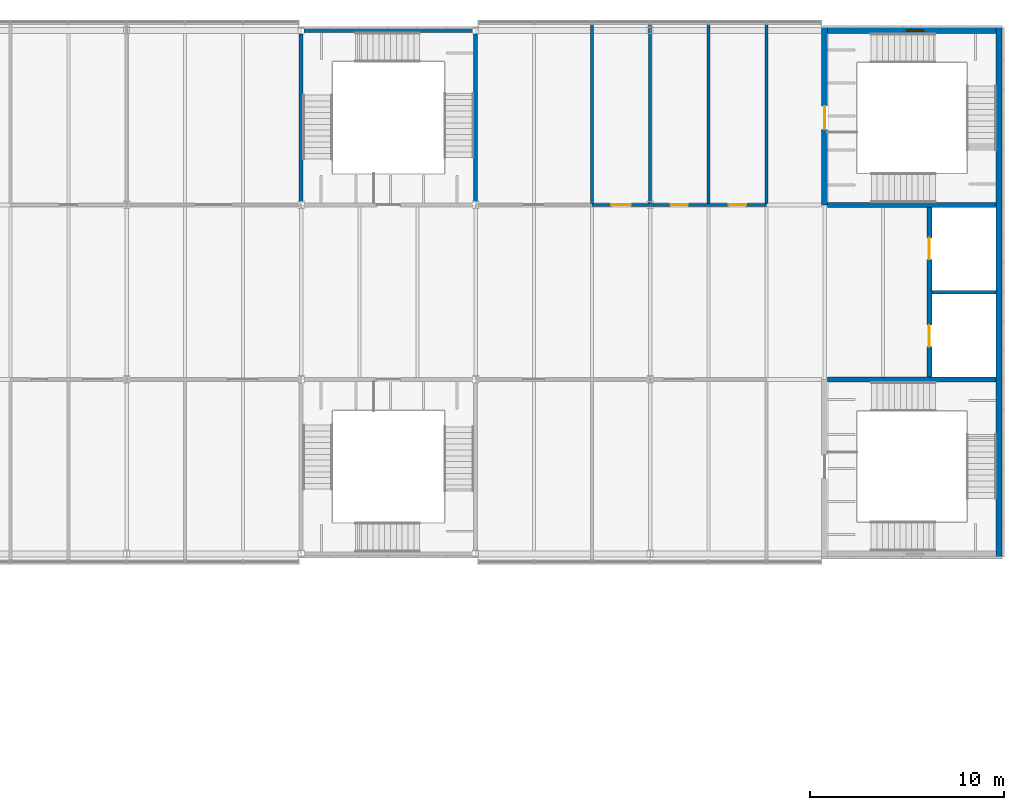
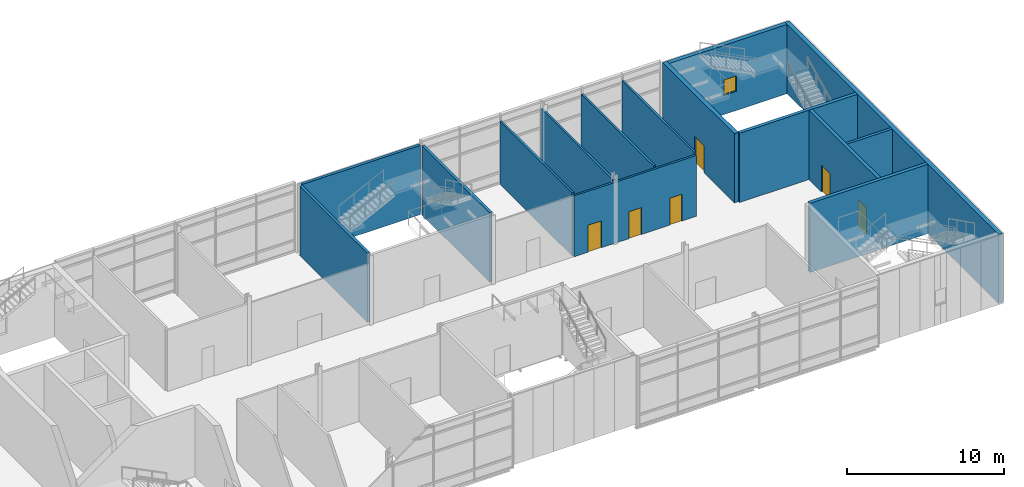
# One storey, part 39 of 52: 15 walls, 6 doors, 1 window, 7 openings.
"""IFC4 building model written with IfcOpenShell, lengths in metres."""

import ifcopenshell
import ifcopenshell.guid

model = None  # the IFC model being written
_history = None  # IfcOwnerHistory: only IFC2X3 demands one
_inside = {}  # id of a spatial element -> (the spatial element, [elements in it])
_under = {}  # id of a project, library or spatial element -> (it, [spatial elements below it])
_declared = {}  # id of a project -> (the project, [libraries it declares])
_typed = {}  # id of a type object -> (the type object, [elements of that type])
_made_of = {}  # id of a material, layer set ... -> (it, [elements and type objects made of it])


def new_model(schema):
    """Start an empty IFC model of exactly this schema.

    Asked for "IFC4X3", IfcOpenShell would pick the latest addendum, in which some entities
    have other attributes; the version numbers below select the first issue.
    IFC2X3 requires an IfcOwnerHistory on every rooted entity: one is made here for all.
    """
    global model, _history
    if schema == "IFC4X3":
        model = ifcopenshell.file(schema_version=(4, 3, 0, 0))
    else:
        model = ifcopenshell.file(schema=schema)
    _inside.clear()
    _under.clear()
    _declared.clear()
    _typed.clear()
    _made_of.clear()
    _history = None
    if model.schema == "IFC2X3":
        org = make("IfcOrganization", Name="unknown")
        user = make(
            "IfcPersonAndOrganization",
            ThePerson=make("IfcPerson", FamilyName="unknown"),
            TheOrganization=org,
        )
        app = make(
            "IfcApplication",
            ApplicationDeveloper=org,
            Version="unknown",
            ApplicationFullName="unknown",
            ApplicationIdentifier="unknown",
        )
        _history = make(
            "IfcOwnerHistory",
            OwningUser=user,
            OwningApplication=app,
            ChangeAction="ADDED",
            CreationDate=0,
        )
    return model


def make(cls, **values):
    """One entity of the class cls with the attributes given. An attribute that is None is left unset."""
    return model.create_entity(
        cls, **{name: value for name, value in values.items() if value is not None}
    )


def rooted(cls, **values):
    """An entity with a GlobalId (a new one), such as an element, a storey or a relation."""
    return make(cls, GlobalId=ifcopenshell.guid.new(), OwnerHistory=_history, **values)


def si_unit(unit_type, name, prefix=None):
    """IfcSIUnit, for example si_unit("LENGTHUNIT", "METRE", prefix="MILLI")."""
    return make("IfcSIUnit", UnitType=unit_type, Prefix=prefix, Name=name)


def assignment(units):
    """IfcUnitAssignment: the units of a project."""
    return None if units is None else make("IfcUnitAssignment", Units=units)


def point(xyz):
    """IfcCartesianPoint."""
    return None if xyz is None else make("IfcCartesianPoint", Coordinates=xyz)


def direction(xyz):
    """IfcDirection."""
    return None if xyz is None else make("IfcDirection", DirectionRatios=xyz)


def frame(location, z_axis=None, x_axis=None):
    """IfcAxis2Placement3D, a coordinate frame: its origin and axes. An axis left out is left unset."""
    return make(
        "IfcAxis2Placement3D",
        Location=point(location),
        Axis=direction(z_axis),
        RefDirection=direction(x_axis),
    )


def frame_2d(location, x_axis=None):
    """IfcAxis2Placement2D, a coordinate frame in the plane: its origin and x axis."""
    return make(
        "IfcAxis2Placement2D", Location=point(location), RefDirection=direction(x_axis)
    )


def origin():
    """The frame at (0, 0, 0) with its axes left unset."""
    return frame((0.0, 0.0, 0.0))


def place(relative_to, where):
    """IfcLocalPlacement: puts the frame where relative to a parent placement (None: the world)."""
    return make(
        "IfcLocalPlacement", PlacementRelTo=relative_to, RelativePlacement=where
    )


def context(
    kind, dimensions, precision=None, world=None, true_north=None, identifier=None
):
    """IfcGeometricRepresentationContext, for example the 3D "Model" context."""
    return make(
        "IfcGeometricRepresentationContext",
        ContextIdentifier=identifier,
        ContextType=kind,
        CoordinateSpaceDimension=dimensions,
        Precision=precision,
        WorldCoordinateSystem=world,
        TrueNorth=true_north,
    )


def subcontext(parent, identifier, kind, view, scale=None):
    """IfcGeometricRepresentationSubContext, for example "Body" below "Model"."""
    return make(
        "IfcGeometricRepresentationSubContext",
        ContextIdentifier=identifier,
        ContextType=kind,
        ParentContext=parent,
        TargetScale=scale,
        TargetView=view,
    )


def project(units=None, contexts=None):
    """IfcProject with its units and contexts."""
    return rooted(
        "IfcProject",
        Name="project",
        RepresentationContexts=contexts,
        UnitsInContext=assignment(units),
    )


def spatial(cls, under=None, at=None, **own):
    """A site, building, storey or space (cls), placed at a placement, below another one or the project."""
    s = rooted(cls, ObjectPlacement=at, **own)
    if under is not None:
        _under.setdefault(under.id(), (under, []))[1].append(s)
    return s


def profile(cls, at=None, kind="AREA", **sizes):
    """A parametric profile (cls). Its sizes go by their IFC names, for example OverallWidth=200.0."""
    return make(cls, ProfileType=kind, Position=at, **sizes)


def rectangle(**sizes):
    """IfcRectangleProfileDef."""
    return profile("IfcRectangleProfileDef", **sizes)


def extrude(swept, where, along, depth):
    """IfcExtrudedAreaSolid: the profile swept, set in the frame where, extruded along a direction by depth."""
    return make(
        "IfcExtrudedAreaSolid",
        SweptArea=swept,
        Position=where,
        ExtrudedDirection=direction(along),
        Depth=depth,
    )


def shape(context_of_items, identifier, shape_type, items):
    """IfcShapeRepresentation: the items that make up one representation, for example the "Body"."""
    return make(
        "IfcShapeRepresentation",
        ContextOfItems=context_of_items,
        RepresentationIdentifier=identifier,
        RepresentationType=shape_type,
        Items=items,
    )


def material(Name=None, Category=None):
    """IfcMaterial."""
    return make("IfcMaterial", Name=Name, Category=Category)


def layer(
    of_material, thickness, ventilated=None, Name=None, Category=None, Priority=None
):
    """IfcMaterialLayer: one layer of a wall or slab, of a material (None: an air gap)."""
    return make(
        "IfcMaterialLayer",
        Material=of_material,
        LayerThickness=thickness,
        IsVentilated=ventilated,
        Name=Name,
        Category=Category,
        Priority=Priority,
    )


def layer_set(layers, Name=None):
    """IfcMaterialLayerSet."""
    return make("IfcMaterialLayerSet", MaterialLayers=layers, LayerSetName=Name)


def made_of(thing, what):
    """Note that an element or type object is made of a material, layer set ...; save() writes the relation."""
    if what is not None:
        _made_of.setdefault(what.id(), (what, []))[1].append(thing)
    return thing


def type_object(cls, material=None, **own):
    """A type object (cls), such as IfcWallType, which elements share."""
    return made_of(rooted(cls, **own), material)


def element(
    cls,
    number,
    at=None,
    inside=None,
    cuts=None,
    type_object=None,
    material=None,
    context=None,
    identifier="Body",
    shape_type=None,
    held_by="IfcProductDefinitionShape",
    body=None,
    shapes=None,
    **own,
):
    """One element of the class cls, such as IfcWall. Its Tag is "e" and its number.

    at: its placement. inside: the storey or other place that contains it. cuts: it is an
    opening in that element (IfcRelVoidsElement). A single representation is given by context,
    identifier, shape_type and body (its items); several are given by shapes. held_by: the class
    of the entity that holds the representations. save() writes the other relations.
    """
    e = rooted(cls, Tag="e%d" % number, ObjectPlacement=at, **own)
    if body is not None:
        shapes = [shape(context, identifier, shape_type, body)]
    if shapes is not None:
        e.Representation = make(held_by, Representations=shapes)
    if inside is not None:
        _inside.setdefault(inside.id(), (inside, []))[1].append(e)
    if cuts is not None:
        rooted(
            "IfcRelVoidsElement", RelatingBuildingElement=cuts, RelatedOpeningElement=e
        )
    if type_object is not None:
        _typed.setdefault(type_object.id(), (type_object, []))[1].append(e)
    return made_of(e, material)


def fill(opening, filler):
    """IfcRelFillsElement: the door or window that sits in an opening."""
    return rooted(
        "IfcRelFillsElement",
        RelatingOpeningElement=opening,
        RelatedBuildingElement=filler,
    )


def aggregate(whole, parts):
    """IfcRelAggregates: a whole, such as a stair, and the parts it consists of."""
    return rooted("IfcRelAggregates", RelatingObject=whole, RelatedObjects=parts)


def save(model, path):
    """Write the relations noted so far, then the file.

    IfcRelAggregates (storeys below a building ...), IfcRelContainedInSpatialStructure (elements
    in a storey), IfcRelDefinesByType, IfcRelAssociatesMaterial and IfcRelDeclares: one each for
    every whole, place, type object, material and project.
    """
    for whole, parts in _under.values():
        aggregate(whole, parts)
    for where, things in _inside.values():
        rooted(
            "IfcRelContainedInSpatialStructure",
            RelatedElements=things,
            RelatingStructure=where,
        )
    for kind, things in _typed.values():
        rooted("IfcRelDefinesByType", RelatedObjects=things, RelatingType=kind)
    for what, things in _made_of.values():
        rooted("IfcRelAssociatesMaterial", RelatedObjects=things, RelatingMaterial=what)
    for by, libraries in _declared.values():
        rooted("IfcRelDeclares", RelatingContext=by, RelatedDefinitions=libraries)
    model.write(path)


model = new_model("IFC4")

# Units and contexts
model_context = context("Model", 3, precision=1e-05, world=origin(), true_north=direction((0.0, 1.0)))
body_context = subcontext(model_context, "Body", "Model", "MODEL_VIEW")
ifc_project = project(units=[si_unit("LENGTHUNIT", "METRE"), si_unit("AREAUNIT", "SQUARE_METRE"), si_unit("VOLUMEUNIT", "CUBIC_METRE"), si_unit("PLANEANGLEUNIT", "RADIAN"), si_unit("MASSUNIT", "GRAM", prefix="KILO")], contexts=[model_context])

# Site, building, storey
site_placement = place(None, origin())
site = spatial("IfcSite", under=ifc_project, at=site_placement, CompositionType="ELEMENT")
building_placement = place(site_placement, origin())
building = spatial("IfcBuilding", under=site, at=building_placement, Name="Azimuth Sports and Learning Centre", CompositionType="ELEMENT")
storey_placement = place(building_placement, frame((0.0, 0.0, 16.199951171875)))
storey = spatial("IfcBuildingStorey", under=building, at=storey_placement, Name="L03", CompositionType="ELEMENT", Elevation=16.199951171875)

# Wall
ifc_material_1 = material(Name="Dense masonry blockwork", Category="masonry")
ifc_layer_1 = layer(ifc_material_1, 0.199951171875)
ifc_layer_set_1 = layer_set([ifc_layer_1], Name="Dense masonry blockwork")
wall_type_1 = type_object("IfcWallType", Name="Blockwork wall 200 EI 120", PredefinedType="SOLIDWALL", material=ifc_layer_set_1)
wall_1_placement = place(storey_placement, frame((167.52490234375, 103.5, 0.0), z_axis=(0.0, 0.0, 1.0), x_axis=(1.0, 0.0, 0.0)))
element("IfcWall", 1, at=wall_1_placement, inside=storey, type_object=wall_type_1, Name="SD-EW-1-L03", PredefinedType="SOLIDWALL", context=body_context, shape_type="SweptSolid", body=[
    extrude(rectangle(XDim=3.3251953125, YDim=0.199951171875, at=frame_2d((1.66259765625, 0.0))), origin(), (0.0, 0.0, 1.0), 5.400146484375),
])

# Wall, openings, doors
ifc_material_2 = material(Name="Lightweight blockwork, rendered", Category="masonry")
ifc_layer_2 = layer(ifc_material_2, 0.14990234375)
ifc_layer_set_2 = layer_set([ifc_layer_2], Name="Lightweight blockwork, rendered")
wall_type_2 = type_object("IfcWallType", Name="Partition 150 EI 60", PredefinedType="PARTITIONING", material=ifc_layer_set_2)
wall_2_placement = place(storey_placement, frame((150.0, 108.0, 0.0), z_axis=(0.0, 0.0, 1.0), x_axis=(1.0, 0.0, 0.0)))
wall_2 = element("IfcWall", 2, at=wall_2_placement, inside=storey, type_object=wall_type_2, Name="Partition 150 EI 60", PredefinedType="PARTITIONING", context=body_context, shape_type="SweptSolid", body=[
    extrude(rectangle(XDim=9.0, YDim=0.14990234375, at=frame_2d((4.5, 0.0))), origin(), (0.0, 0.0, 1.0), 4.75),
])
opening_1_placement = place(wall_2_placement, frame((7.050048828125, 0.0, 0.0)))
opening_1 = element("IfcOpeningElement", 3, at=opening_1_placement, cuts=wall_2, Name="Opening D03-047", PredefinedType="OPENING", context=body_context, shape_type="SweptSolid", body=[
    extrude(rectangle(XDim=0.89990234375, YDim=2.10009765625, at=frame_2d((0.449951171875, 1.050048828125))), frame((0.0, 0.0859375, 0.0), z_axis=(0.0, -1.0, 0.0), x_axis=(1.0, 0.0, 0.0)), (0.0, 0.0, 1.0), 0.171875),
])
opening_2_placement = place(wall_2_placement, frame((4.050048828125, 0.0, 0.0)))
opening_2 = element("IfcOpeningElement", 4, at=opening_2_placement, cuts=wall_2, Name="Opening D03-048", PredefinedType="OPENING", context=body_context, shape_type="SweptSolid", body=[
    extrude(rectangle(XDim=0.89990234375, YDim=2.10009765625, at=frame_2d((0.449951171875, 1.050048828125))), frame((0.0, 0.0859375, 0.0), z_axis=(0.0, -1.0, 0.0), x_axis=(1.0, 0.0, 0.0)), (0.0, 0.0, 1.0), 0.171875),
])
opening_3_placement = place(wall_2_placement, frame((1.0, 0.0, 0.0)))
opening_3 = element("IfcOpeningElement", 5, at=opening_3_placement, cuts=wall_2, Name="Opening D03-049", PredefinedType="OPENING", context=body_context, shape_type="SweptSolid", body=[
    extrude(rectangle(XDim=1.0, YDim=2.10009765625, at=frame_2d((0.5, 1.050048828125))), frame((0.0, 0.0859375, 0.0), z_axis=(0.0, -1.0, 0.0), x_axis=(1.0, 0.0, 0.0)), (0.0, 0.0, 1.0), 0.171875),
])
ifc_material_3 = material(Name="Timber fire door set", Category="wood")
door_type_1 = type_object("IfcDoorType", Name="Timber door single 1000x2100 FD60", OperationType="NOTDEFINED", PredefinedType="DOOR", material=ifc_material_3)
door_1_placement = place(opening_3_placement, origin())
door_1 = element("IfcDoor", 6, at=door_1_placement, inside=storey, type_object=door_type_1, Name="Door D03-049", OperationType="SINGLE_SWING_LEFT", OverallHeight=2.10009765625, OverallWidth=1.0, PredefinedType="DOOR", context=body_context, shape_type="SweptSolid", body=[
    extrude(rectangle(XDim=1.0, YDim=2.10009765625, at=frame_2d((0.5, 1.050048828125))), frame((0.0, 0.02490234375, 0.0), z_axis=(0.0, -1.0, 0.0), x_axis=(1.0, 0.0, 0.0)), (0.0, 0.0, 1.0), 0.050048828125),
])
fill(opening_3, door_1)
ifc_material_4 = material(Name="Timber fire door set", Category="wood")
door_type_2 = type_object("IfcDoorType", Name="Timber door single 900x2100 FD60", OperationType="NOTDEFINED", PredefinedType="DOOR", material=ifc_material_4)
door_2_placement = place(opening_1_placement, origin())
door_2 = element("IfcDoor", 7, at=door_2_placement, inside=storey, type_object=door_type_2, Name="Door D03-047", OperationType="SINGLE_SWING_LEFT", OverallHeight=2.10009765625, OverallWidth=0.89990234375, PredefinedType="DOOR", context=body_context, shape_type="SweptSolid", body=[
    extrude(rectangle(XDim=0.89990234375, YDim=2.10009765625, at=frame_2d((0.449951171875, 1.050048828125))), frame((0.0, 0.02490234375, 0.0), z_axis=(0.0, -1.0, 0.0), x_axis=(1.0, 0.0, 0.0)), (0.0, 0.0, 1.0), 0.050048828125),
])
fill(opening_1, door_2)
door_3_placement = place(opening_2_placement, origin())
door_3 = element("IfcDoor", 8, at=door_3_placement, inside=storey, type_object=door_type_2, Name="Door D03-048", OperationType="SINGLE_SWING_LEFT", OverallHeight=2.10009765625, OverallWidth=0.89990234375, PredefinedType="DOOR", context=body_context, shape_type="SweptSolid", body=[
    extrude(rectangle(XDim=0.89990234375, YDim=2.10009765625, at=frame_2d((0.449951171875, 1.050048828125))), frame((0.0, 0.02490234375, 0.0), z_axis=(0.0, -1.0, 0.0), x_axis=(1.0, 0.0, 0.0)), (0.0, 0.0, 1.0), 0.050048828125),
])
fill(opening_2, door_3)

# Walls
wall_3_placement = place(storey_placement, frame((150.0, 108.074951171875, 0.0), z_axis=(0.0, 0.0, 1.0), x_axis=(0.0, 1.0, 0.0)))
element("IfcWall", 9, at=wall_3_placement, inside=storey, type_object=wall_type_2, Name="Partition 150 EI 60", PredefinedType="PARTITIONING", context=body_context, shape_type="SweptSolid", body=[
    extrude(rectangle(XDim=9.22509765625, YDim=0.14990234375, at=frame_2d((4.612548828125, 0.0))), origin(), (0.0, 0.0, 1.0), 4.920166015625),
])
wall_4_placement = place(storey_placement, frame((153.0, 108.074951171875, 0.0), z_axis=(0.0, 0.0, 1.0), x_axis=(0.0, 1.0, 0.0)))
element("IfcWall", 10, at=wall_4_placement, inside=storey, type_object=wall_type_2, Name="Partition 150 EI 60", PredefinedType="PARTITIONING", context=body_context, shape_type="SweptSolid", body=[
    extrude(rectangle(XDim=9.22509765625, YDim=0.14990234375, at=frame_2d((4.612548828125, 0.0))), origin(), (0.0, 0.0, 1.0), 4.89013671875),
])
for number, where, z_axis, x_axis, name in (
    (11, (156.0, 108.074951171875, 0.0), (0.0, 0.0, 1.0), (0.0, 1.0, 0.0), "Partition 150 EI 60"),
    (12, (159.0, 108.074951171875, 0.0), (0.0, 0.0, 1.0), (0.0, 1.0, 0.0), "Partition 150 EI 60"),
):
    element("IfcWall", number, at=place(storey_placement, frame(where, z_axis=z_axis, x_axis=x_axis)), inside=storey, type_object=wall_type_2, Name=name, PredefinedType="PARTITIONING", context=body_context, shape_type="SweptSolid", body=[
        extrude(rectangle(XDim=9.22509765625, YDim=0.14990234375, at=frame_2d((4.612548828125, 0.0))), origin(), (0.0, 0.0, 1.0), 4.920166015625),
    ])
ifc_material_5 = material(Name="Concrete C40/50", Category="concrete")
ifc_layer_3 = layer(ifc_material_5, 0.199951171875)
ifc_layer_set_3 = layer_set([ifc_layer_3], Name="Concrete C40/50")
wall_type_3 = type_object("IfcWallType", Name="RC cell wall 200 EI 120", PredefinedType="SHEAR", material=ifc_layer_set_3)
for number, where, z_axis, x_axis, name in (
    (13, (135.0, 108.179931640625, 0.0), (0.0, 0.0, 1.0), (0.0, 1.0, 0.0), "CE-EM2-W-L03"),
    (14, (144.0, 108.179931640625, 0.0), (0.0, 0.0, 1.0), (0.0, 1.0, 0.0), "CE-EM2-E-L03"),
):
    element("IfcWall", number, at=place(storey_placement, frame(where, z_axis=z_axis, x_axis=x_axis)), inside=storey, type_object=wall_type_3, Name=name, PredefinedType="SHEAR", context=body_context, shape_type="SweptSolid", body=[
        extrude(rectangle(XDim=8.64013671875, YDim=0.199951171875, at=frame_2d((4.320068359375, 0.0))), origin(), (0.0, 0.0, 1.0), 5.400146484375),
    ])
ifc_material_6 = material(Name="Concrete C40/50", Category="concrete")
ifc_layer_4 = layer(ifc_material_6, 0.25)
ifc_layer_set_4 = layer_set([ifc_layer_4], Name="Concrete C40/50")
wall_type_4 = type_object("IfcWallType", Name="RC core wall 250", PredefinedType="SHEAR", material=ifc_layer_set_4)
for number, where, z_axis, x_axis, name in (
    (15, (162.14990234375, 99.0, 0.0), (0.0, 0.0, 1.0), (1.0, 0.0, 0.0), "Core wall EW D1 L03"),
    (16, (162.14990234375, 108.0, 0.0), (0.0, 0.0, 1.0), (1.0, 0.0, 0.0), "Core wall EW D2 L03"),
):
    element("IfcWall", number, at=place(storey_placement, frame(where, z_axis=z_axis, x_axis=x_axis)), inside=storey, type_object=wall_type_4, Name=name, PredefinedType="SHEAR", context=body_context, shape_type="SweptSolid", body=[
        extrude(rectangle(XDim=8.7001953125, YDim=0.25, at=frame_2d((4.35009765625, 0.0))), origin(), (0.0, 0.0, 1.0), 5.400146484375),
    ])

# Wall, openings, doors
wall_5_placement = place(storey_placement, frame((167.39990234375, 99.125, 0.0), z_axis=(0.0, 0.0, 1.0), x_axis=(0.0, 1.0, 0.0)))
wall_5 = element("IfcWall", 17, at=wall_5_placement, inside=storey, type_object=wall_type_4, Name="Core wall EW LB1 L03", PredefinedType="SHEAR", context=body_context, shape_type="SweptSolid", body=[
    extrude(rectangle(XDim=8.75, YDim=0.25, at=frame_2d((4.375, 0.0))), origin(), (0.0, 0.0, 1.0), 5.400146484375),
])
opening_4_placement = place(wall_5_placement, frame((1.574951171875, 0.0, 0.0)))
opening_4 = element("IfcOpeningElement", 18, at=opening_4_placement, cuts=wall_5, Name="Opening D03-027", PredefinedType="OPENING", context=body_context, shape_type="SweptSolid", body=[
    extrude(rectangle(XDim=1.10009765625, YDim=2.10009765625, at=frame_2d((0.550048828125, 1.050048828125))), frame((0.0, 0.135986328125, 0.0), z_axis=(0.0, -1.0, 0.0), x_axis=(1.0, 0.0, 0.0)), (0.0, 0.0, 1.0), 0.27197265625),
])
opening_5_placement = place(wall_5_placement, frame((6.074951171875, 0.0, 0.0)))
opening_5 = element("IfcOpeningElement", 19, at=opening_5_placement, cuts=wall_5, Name="Opening D03-028", PredefinedType="OPENING", context=body_context, shape_type="SweptSolid", body=[
    extrude(rectangle(XDim=1.10009765625, YDim=2.10009765625, at=frame_2d((0.550048828125, 1.050048828125))), frame((0.0, 0.135986328125, 0.0), z_axis=(0.0, -1.0, 0.0), x_axis=(1.0, 0.0, 0.0)), (0.0, 0.0, 1.0), 0.27197265625),
])
ifc_material_7 = material(Name="Stainless steel", Category="steel")
door_type_3 = type_object("IfcDoorType", Name="Lift landing door 1100 x 2100", OperationType="DOUBLE_DOOR_SLIDING", PredefinedType="DOOR", material=ifc_material_7)
door_4_placement = place(opening_4_placement, origin())
door_4 = element("IfcDoor", 20, at=door_4_placement, inside=storey, type_object=door_type_3, Name="Landing door LEW1 L03", OperationType="DOUBLE_DOOR_SLIDING", OverallHeight=2.10009765625, OverallWidth=1.10009765625, PredefinedType="DOOR", context=body_context, shape_type="SweptSolid", body=[
    extrude(rectangle(XDim=1.10009765625, YDim=2.10009765625, at=frame_2d((0.550048828125, 1.050048828125))), frame((0.0, 0.02490234375, 0.0), z_axis=(0.0, -1.0, 0.0), x_axis=(1.0, 0.0, 0.0)), (0.0, 0.0, 1.0), 0.050048828125),
])
fill(opening_4, door_4)
door_5_placement = place(opening_5_placement, origin())
door_5 = element("IfcDoor", 21, at=door_5_placement, inside=storey, type_object=door_type_3, Name="Landing door LEW2 L03", OperationType="DOUBLE_DOOR_SLIDING", OverallHeight=2.10009765625, OverallWidth=1.10009765625, PredefinedType="DOOR", context=body_context, shape_type="SweptSolid", body=[
    extrude(rectangle(XDim=1.10009765625, YDim=2.10009765625, at=frame_2d((0.550048828125, 1.050048828125))), frame((0.0, 0.02490234375, 0.0), z_axis=(0.0, -1.0, 0.0), x_axis=(1.0, 0.0, 0.0)), (0.0, 0.0, 1.0), 0.050048828125),
])
fill(opening_5, door_5)

# Wall, opening, door
ifc_material_8 = material(Name="Concrete C40/50", Category="concrete")
ifc_layer_5 = layer(ifc_material_8, 0.300048828125)
ifc_layer_set_5 = layer_set([ifc_layer_5], Name="Concrete C40/50")
wall_type_5 = type_object("IfcWallType", Name="RC core wall 300", PredefinedType="SHEAR", material=ifc_layer_set_5)
wall_6_placement = place(storey_placement, frame((162.0, 108.0, 0.0), z_axis=(0.0, 0.0, 1.0), x_axis=(0.0, 1.0, 0.0)))
wall_6 = element("IfcWall", 22, at=wall_6_placement, inside=storey, type_object=wall_type_5, Name="Core wall EW WN L03", PredefinedType="SHEAR", context=body_context, shape_type="SweptSolid", body=[
    extrude(rectangle(XDim=9.14990234375, YDim=0.300048828125, at=frame_2d((4.574951171875, 0.0))), origin(), (0.0, 0.0, 1.0), 5.400146484375),
])
opening_6_placement = place(wall_6_placement, frame((3.89990234375, 0.0, 0.0)))
opening_6 = element("IfcOpeningElement", 23, at=opening_6_placement, cuts=wall_6, Name="Opening D03-008", PredefinedType="OPENING", context=body_context, shape_type="SweptSolid", body=[
    extrude(rectangle(XDim=1.199951171875, YDim=2.10009765625, at=frame_2d((0.60009765625, 1.050048828125))), frame((0.0, 0.1611328125, 0.0), z_axis=(0.0, -1.0, 0.0), x_axis=(1.0, 0.0, 0.0)), (0.0, 0.0, 1.0), 0.322021484375),
])
ifc_material_9 = material(Name="Steel", Category="steel")
door_type_4 = type_object("IfcDoorType", Name="Stair fire door 1200 x 2100", OperationType="NOTDEFINED", PredefinedType="DOOR", material=ifc_material_9)
door_6_placement = place(opening_6_placement, origin())
door_6 = element("IfcDoor", 24, at=door_6_placement, inside=storey, type_object=door_type_4, Name="Stair door EW2 L03", OperationType="SINGLE_SWING_LEFT", OverallHeight=2.10009765625, OverallWidth=1.199951171875, PredefinedType="DOOR", context=body_context, shape_type="SweptSolid", body=[
    extrude(rectangle(XDim=1.199951171875, YDim=2.10009765625, at=frame_2d((0.60009765625, 1.050048828125))), frame((0.0, 0.02490234375, 0.0), z_axis=(0.0, -1.0, 0.0), x_axis=(1.0, 0.0, 0.0)), (0.0, 0.0, 1.0), 0.050048828125),
])
fill(opening_6, door_6)

# Wall
ifc_material_10 = material(Name="Concrete C40/50", Category="concrete")
ifc_layer_6 = layer(ifc_material_10, 0.199951171875)
ifc_layer_set_6 = layer_set([ifc_layer_6], Name="Concrete C40/50")
wall_type_6 = type_object("IfcWallType", Name="RC external cell wall 200 EI 120", PredefinedType="SHEAR", material=ifc_layer_set_6)
wall_7_placement = place(storey_placement, frame((135.14990234375, 117.0, 0.0), z_axis=(0.0, 0.0, 1.0), x_axis=(1.0, 0.0, 0.0)))
element("IfcWall", 25, at=wall_7_placement, inside=storey, type_object=wall_type_6, Name="CE-EM2-N-L03", PredefinedType="SHEAR", context=body_context, shape_type="SweptSolid", body=[
    extrude(rectangle(XDim=8.7001953125, YDim=0.199951171875, at=frame_2d((4.35009765625, 0.0))), origin(), (0.0, 0.0, 1.0), 5.400146484375),
])

# Wall, opening, window
ifc_material_11 = material(Name="Concrete C40/50", Category="concrete")
ifc_layer_7 = layer(ifc_material_11, 0.300048828125)
ifc_layer_set_7 = layer_set([ifc_layer_7], Name="Concrete C40/50")
wall_type_7 = type_object("IfcWallType", Name="RC external core wall 300", PredefinedType="SHEAR", material=ifc_layer_set_7)
wall_8_placement = place(storey_placement, frame((162.14990234375, 117.0, 0.0), z_axis=(0.0, 0.0, 1.0), x_axis=(1.0, 0.0, 0.0)))
wall_8 = element("IfcWall", 26, at=wall_8_placement, inside=storey, type_object=wall_type_7, Name="Core wall EW N L03", PredefinedType="SHEAR", context=body_context, shape_type="SweptSolid", body=[
    extrude(rectangle(XDim=8.7001953125, YDim=0.300048828125, at=frame_2d((4.35009765625, 0.0))), origin(), (0.0, 0.0, 1.0), 5.400146484375),
])
opening_7_placement = place(wall_8_placement, frame((4.050048828125, 0.0, 1.5)))
opening_7 = element("IfcOpeningElement", 27, at=opening_7_placement, cuts=wall_8, Name="Opening W03-005", PredefinedType="OPENING", context=body_context, shape_type="SweptSolid", body=[
    extrude(rectangle(XDim=0.89990234375, YDim=1.199951171875, at=frame_2d((0.449951171875, 0.60009765625))), frame((0.0, 0.1611328125, 0.0), z_axis=(0.0, -1.0, 0.0), x_axis=(1.0, 0.0, 0.0)), (0.0, 0.0, 1.0), 0.322021484375),
])
ifc_material_12 = material(Name="Aluminium and glass", Category="aluminium")
window_type = type_object("IfcWindowType", Name="Stair window end core 900x1200", PartitioningType="SINGLE_PANEL", PredefinedType="WINDOW", material=ifc_material_12)
window_placement = place(opening_7_placement, origin())
window = element("IfcWindow", 28, at=window_placement, inside=storey, type_object=window_type, Name="Window W03-005", OverallHeight=1.199951171875, OverallWidth=0.89990234375, PartitioningType="SINGLE_PANEL", PredefinedType="WINDOW", context=body_context, shape_type="SweptSolid", body=[
    extrude(rectangle(XDim=0.89990234375, YDim=1.199951171875, at=frame_2d((0.449951171875, 0.60009765625))), frame((0.0, 0.030029296875, 0.0), z_axis=(0.0, -1.0, 0.0), x_axis=(1.0, 0.0, 0.0)), (0.0, 0.0, 1.0), 0.06005859375),
])
fill(opening_7, window)

# Wall
wall_9_placement = place(storey_placement, frame((171.0, 89.85009765625, 0.0), z_axis=(0.0, 0.0, 1.0), x_axis=(0.0, 1.0, 0.0)))
element("IfcWall", 29, at=wall_9_placement, inside=storey, type_object=wall_type_7, Name="Core wall EW E L03", PredefinedType="SHEAR", context=body_context, shape_type="SweptSolid", body=[
    extrude(rectangle(XDim=27.2998046875, YDim=0.300048828125, at=frame_2d((13.64990234375, 0.0))), origin(), (0.0, 0.0, 1.0), 5.400146484375),
])

save(model, "model.ifc")
